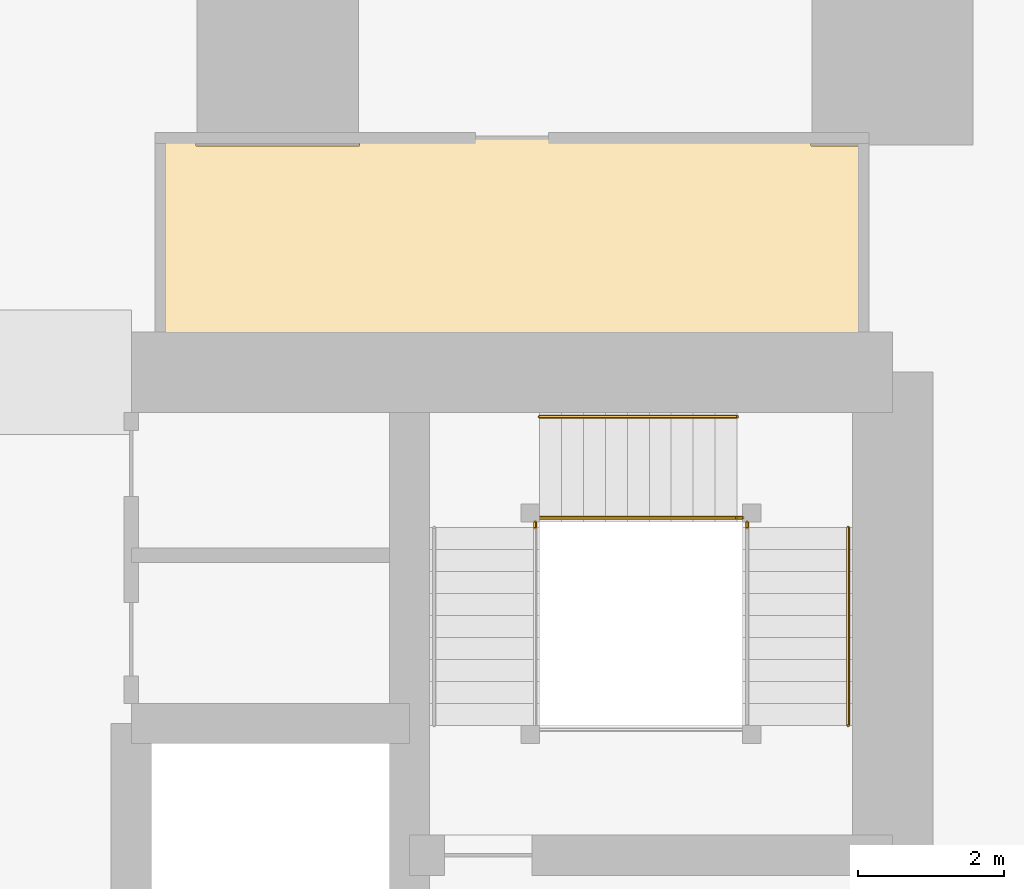
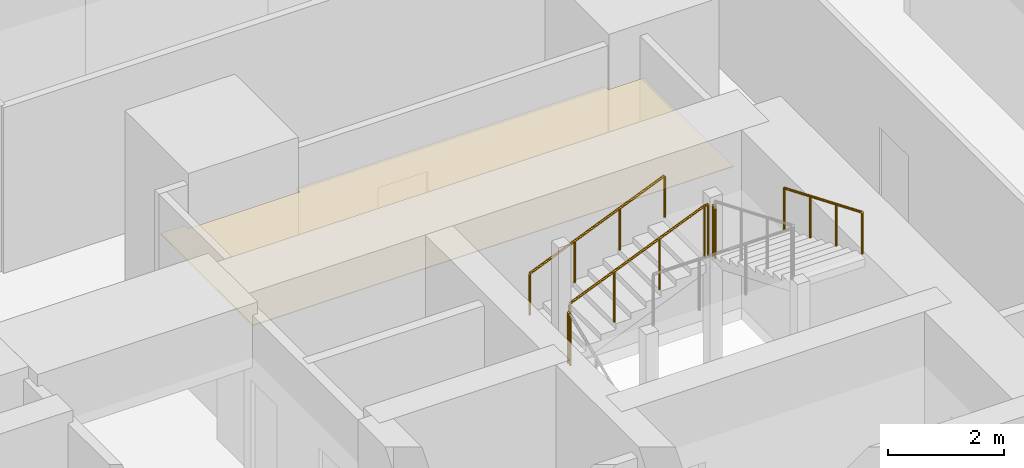
# One storey, part 41 of 42: 6 railings, 1 covering.
"""IFC4 building model written with IfcOpenShell, lengths in metres."""

from ifc_helpers import new_model, si_unit, direction, frame, origin, origin_2d, place, context, subcontext, project, spatial, polyline, circle, outline, extrude, material, layer, layer_set, type_object, element, save


model = new_model("IFC4")

# Units and contexts
model_context = context("Model", 3, precision=1e-05, world=origin(), true_north=direction((0.0, 1.0)))
body_context = subcontext(model_context, "Body", "Model", "MODEL_VIEW")
ifc_project = project(units=[si_unit("LENGTHUNIT", "METRE"), si_unit("AREAUNIT", "SQUARE_METRE"), si_unit("VOLUMEUNIT", "CUBIC_METRE"), si_unit("PLANEANGLEUNIT", "RADIAN"), si_unit("MASSUNIT", "GRAM", prefix="KILO")], contexts=[model_context])

# Site, building, storey
site_placement = place(None, origin())
site = spatial("IfcSite", under=ifc_project, at=site_placement, CompositionType="ELEMENT")
building_placement = place(site_placement, origin())
building = spatial("IfcBuilding", under=site, at=building_placement, Name="Rekha Terrace Tower", CompositionType="ELEMENT")
storey_placement = place(building_placement, frame((0.0, 0.0, 70.39990234375)))
storey = spatial("IfcBuildingStorey", under=building, at=storey_placement, Name="L17", CompositionType="ELEMENT", Elevation=70.39990234375)

# Covering
ifc_material_1 = material(Name="Fibre cement board", Category="finish")
ifc_layer = layer(ifc_material_1, 0.014892578125)
ifc_layer_set = layer_set([ifc_layer], Name="Fibre cement board")
covering_type = type_object("IfcCoveringType", Name="CL2 moisture-resistant board ceiling", PredefinedType="CEILING", material=ifc_layer_set)
covering_placement = place(storey_placement, frame((0.0, 0.0, 2.585205078125)))
element("IfcCovering", 1, at=covering_placement, inside=storey, type_object=covering_type, Name="Ceiling L17-WCF", PredefinedType="CEILING", context=body_context, shape_type="SweptSolid", body=[
    extrude(outline(polyline([(40.885009765625, 49.39990234375), (40.39990234375, 49.39990234375), (40.39990234375, 46.199951171875), (50.0, 46.199951171875), (50.0, 49.284912109375), (49.284912109375, 49.284912109375), (49.284912109375, 49.39990234375), (43.114990234375, 49.39990234375), (43.114990234375, 49.284912109375), (40.885009765625, 49.284912109375), (40.885009765625, 49.39990234375)])), origin(), (0.0, 0.0, 1.0), 0.014892578125),
])

# Railings
ifc_material_2 = material(Name="Stainless steel balustrade", Category="steel")
railing_type_1 = type_object("IfcRailingType", Name="GR1 1100 stair guard", PredefinedType="GUARDRAIL", material=ifc_material_2)
railing_1_placement = place(storey_placement, frame((45.574951171875, 44.2099609375, 1.375)))
element("IfcRailing", 2, at=railing_1_placement, inside=storey, type_object=railing_type_1, Name="Guard ST2 L17 flight 2", PredefinedType="GUARDRAIL", context=body_context, shape_type="SweptSolid", body=[
    extrude(circle(Radius=0.02392578125, at=origin_2d()), frame((0.0, 0.0, 1.076171875), z_axis=(0.923074453586, 0.0, 0.384621311341), x_axis=(0.0, 1.0, 0.0)), (0.0, 0.0, 1.0), 2.925048828125),
    extrude(circle(Radius=0.02099609375, at=origin_2d()), origin(), (0.0, 0.0, 1.0), 1.052001953125),
    extrude(circle(Radius=0.02099609375, at=origin_2d()), frame((0.89990234375, 0.0, 0.375)), (0.0, 0.0, 1.0), 1.052001953125),
    extrude(circle(Radius=0.02099609375, at=origin_2d()), frame((1.800048828125, 0.0, 0.75)), (0.0, 0.0, 1.0), 1.052001953125),
    extrude(circle(Radius=0.02099609375, at=origin_2d()), frame((2.699951171875, 0.0, 1.125)), (0.0, 0.0, 1.0), 1.052001953125),
])
railing_2_placement = place(storey_placement, frame((45.514892578125, 44.074951171875, 1.25)))
element("IfcRailing", 3, at=railing_2_placement, inside=storey, type_object=railing_type_1, Name="Guard ST2 L17 landing 1", PredefinedType="GUARDRAIL", context=body_context, shape_type="SweptSolid", body=[
    extrude(circle(Radius=0.02392578125, at=origin_2d()), frame((0.0, 0.0, 1.076171875), z_axis=(0.0, 1.0, 0.0), x_axis=(-1.0, 0.0, 0.0)), (0.0, 0.0, 1.0), 0.074951171875),
    extrude(circle(Radius=0.02099609375, at=origin_2d()), origin(), (0.0, 0.0, 1.0), 1.052001953125),
    extrude(circle(Radius=0.02099609375, at=origin_2d()), frame((0.0, 0.074951171875, 0.0)), (0.0, 0.0, 1.0), 1.052001953125),
])
railing_3_placement = place(storey_placement, frame((48.27490234375, 44.2099609375, 2.5)))
element("IfcRailing", 4, at=railing_3_placement, inside=storey, type_object=railing_type_1, Name="Guard ST2 L17 landing 2", PredefinedType="GUARDRAIL", context=body_context, shape_type="SweptSolid", body=[
    extrude(circle(Radius=0.02392578125, at=origin_2d()), frame((0.0, 0.0, 1.076171875), z_axis=(1.0, 0.0, 0.0), x_axis=(0.0, 1.0, 0.0)), (0.0, 0.0, 1.0), 0.0751953125),
    extrude(circle(Radius=0.02099609375, at=origin_2d()), origin(), (0.0, 0.0, 1.0), 1.052001953125),
    extrude(circle(Radius=0.02099609375, at=origin_2d()), frame((0.0751953125, 0.0, 0.0)), (0.0, 0.0, 1.0), 1.052001953125),
])
railing_4_placement = place(storey_placement, frame((48.409912109375, 44.074951171875, 2.5)))
element("IfcRailing", 5, at=railing_4_placement, inside=storey, type_object=railing_type_1, Name="Guard ST2 L17 landing 3", PredefinedType="GUARDRAIL", context=body_context, shape_type="SweptSolid", body=[
    extrude(circle(Radius=0.02392578125, at=origin_2d()), frame((0.0, 0.0, 1.076171875), z_axis=(0.0, 1.0, 0.0), x_axis=(-1.0, 0.0, 0.0)), (0.0, 0.0, 1.0), 0.074951171875),
    extrude(circle(Radius=0.02099609375, at=origin_2d()), origin(), (0.0, 0.0, 1.0), 1.052001953125),
    extrude(circle(Radius=0.02099609375, at=origin_2d()), frame((0.0, 0.074951171875, 0.0)), (0.0, 0.0, 1.0), 1.052001953125),
])
ifc_material_3 = material(Name="Stainless steel tube", Category="steel")
railing_type_2 = type_object("IfcRailingType", Name="HR1 900 stair handrail", PredefinedType="HANDRAIL", material=ifc_material_3)
railing_5_placement = place(storey_placement, frame((45.574951171875, 45.590087890625, 1.375)))
element("IfcRailing", 6, at=railing_5_placement, inside=storey, type_object=railing_type_2, Name="Handrail ST2 L17 flight 2", PredefinedType="HANDRAIL", context=body_context, shape_type="SweptSolid", body=[
    extrude(circle(Radius=0.02392578125, at=origin_2d()), frame((0.0, 0.0, 0.8759765625), z_axis=(0.923074453586, 0.0, 0.384621311341), x_axis=(0.0, 1.0, 0.0)), (0.0, 0.0, 1.0), 2.925048828125),
    extrude(circle(Radius=0.02099609375, at=origin_2d()), origin(), (0.0, 0.0, 1.0), 0.851806640625),
    extrude(circle(Radius=0.02099609375, at=origin_2d()), frame((0.89990234375, 0.0, 0.375)), (0.0, 0.0, 1.0), 0.851806640625),
    extrude(circle(Radius=0.02099609375, at=origin_2d()), frame((1.800048828125, 0.0, 0.75)), (0.0, 0.0, 1.0), 0.851806640625),
    extrude(circle(Radius=0.02099609375, at=origin_2d()), frame((2.699951171875, 0.0, 1.125)), (0.0, 0.0, 1.0), 0.851806640625),
])
railing_6_placement = place(storey_placement, frame((49.7900390625, 44.074951171875, 2.625)))
element("IfcRailing", 7, at=railing_6_placement, inside=storey, type_object=railing_type_2, Name="Handrail ST2 L17 flight 3", PredefinedType="HANDRAIL", context=body_context, shape_type="SweptSolid", body=[
    extrude(circle(Radius=0.02392578125, at=origin_2d()), frame((0.0, 0.0, 0.8759765625), z_axis=(0.0, -0.923074453586, 0.384621311341), x_axis=(1.0, 0.0, 0.0)), (0.0, 0.0, 1.0), 2.925048828125),
    extrude(circle(Radius=0.02099609375, at=origin_2d()), origin(), (0.0, 0.0, 1.0), 0.851806640625),
    extrude(circle(Radius=0.02099609375, at=origin_2d()), frame((0.0, -0.89990234375, 0.375)), (0.0, 0.0, 1.0), 0.851806640625),
    extrude(circle(Radius=0.02099609375, at=origin_2d()), frame((0.0, -1.800048828125, 0.75)), (0.0, 0.0, 1.0), 0.851806640625),
    extrude(circle(Radius=0.02099609375, at=origin_2d()), frame((0.0, -2.699951171875, 1.125)), (0.0, 0.0, 1.0), 0.851806640625),
])

save(model, "model.ifc")
